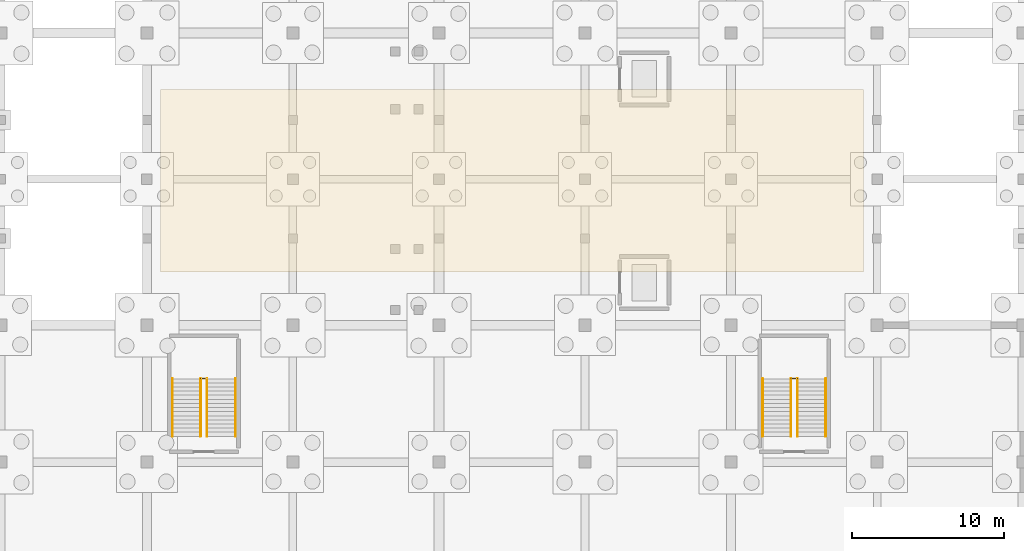
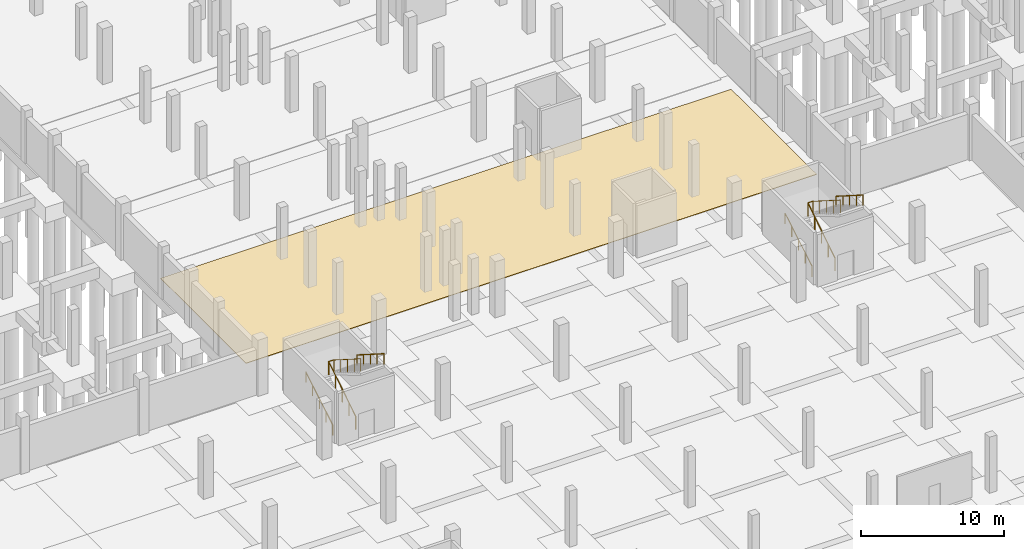
# One storey, part 35 of 39: 10 railings, 1 covering.
"""IFC4 building model written with IfcOpenShell, lengths in metres."""

import ifcopenshell
import ifcopenshell.guid

model = None  # the IFC model being written
_history = None  # IfcOwnerHistory: only IFC2X3 demands one
_inside = {}  # id of a spatial element -> (the spatial element, [elements in it])
_under = {}  # id of a project, library or spatial element -> (it, [spatial elements below it])
_declared = {}  # id of a project -> (the project, [libraries it declares])
_typed = {}  # id of a type object -> (the type object, [elements of that type])
_made_of = {}  # id of a material, layer set ... -> (it, [elements and type objects made of it])


def new_model(schema):
    """Start an empty IFC model of exactly this schema.

    Asked for "IFC4X3", IfcOpenShell would pick the latest addendum, in which some entities
    have other attributes; the version numbers below select the first issue.
    IFC2X3 requires an IfcOwnerHistory on every rooted entity: one is made here for all.
    """
    global model, _history
    if schema == "IFC4X3":
        model = ifcopenshell.file(schema_version=(4, 3, 0, 0))
    else:
        model = ifcopenshell.file(schema=schema)
    _inside.clear()
    _under.clear()
    _declared.clear()
    _typed.clear()
    _made_of.clear()
    _history = None
    if model.schema == "IFC2X3":
        org = make("IfcOrganization", Name="unknown")
        user = make(
            "IfcPersonAndOrganization",
            ThePerson=make("IfcPerson", FamilyName="unknown"),
            TheOrganization=org,
        )
        app = make(
            "IfcApplication",
            ApplicationDeveloper=org,
            Version="unknown",
            ApplicationFullName="unknown",
            ApplicationIdentifier="unknown",
        )
        _history = make(
            "IfcOwnerHistory",
            OwningUser=user,
            OwningApplication=app,
            ChangeAction="ADDED",
            CreationDate=0,
        )
    return model


def make(cls, **values):
    """One entity of the class cls with the attributes given. An attribute that is None is left unset."""
    return model.create_entity(
        cls, **{name: value for name, value in values.items() if value is not None}
    )


def rooted(cls, **values):
    """An entity with a GlobalId (a new one), such as an element, a storey or a relation."""
    return make(cls, GlobalId=ifcopenshell.guid.new(), OwnerHistory=_history, **values)


def si_unit(unit_type, name, prefix=None):
    """IfcSIUnit, for example si_unit("LENGTHUNIT", "METRE", prefix="MILLI")."""
    return make("IfcSIUnit", UnitType=unit_type, Prefix=prefix, Name=name)


def assignment(units):
    """IfcUnitAssignment: the units of a project."""
    return None if units is None else make("IfcUnitAssignment", Units=units)


def point(xyz):
    """IfcCartesianPoint."""
    return None if xyz is None else make("IfcCartesianPoint", Coordinates=xyz)


def direction(xyz):
    """IfcDirection."""
    return None if xyz is None else make("IfcDirection", DirectionRatios=xyz)


def frame(location, z_axis=None, x_axis=None):
    """IfcAxis2Placement3D, a coordinate frame: its origin and axes. An axis left out is left unset."""
    return make(
        "IfcAxis2Placement3D",
        Location=point(location),
        Axis=direction(z_axis),
        RefDirection=direction(x_axis),
    )


def frame_2d(location, x_axis=None):
    """IfcAxis2Placement2D, a coordinate frame in the plane: its origin and x axis."""
    return make(
        "IfcAxis2Placement2D", Location=point(location), RefDirection=direction(x_axis)
    )


def origin():
    """The frame at (0, 0, 0) with its axes left unset."""
    return frame((0.0, 0.0, 0.0))


def origin_2d():
    """The frame at (0, 0) in the plane with its x axis left unset."""
    return frame_2d((0.0, 0.0))


def place(relative_to, where):
    """IfcLocalPlacement: puts the frame where relative to a parent placement (None: the world)."""
    return make(
        "IfcLocalPlacement", PlacementRelTo=relative_to, RelativePlacement=where
    )


def context(
    kind, dimensions, precision=None, world=None, true_north=None, identifier=None
):
    """IfcGeometricRepresentationContext, for example the 3D "Model" context."""
    return make(
        "IfcGeometricRepresentationContext",
        ContextIdentifier=identifier,
        ContextType=kind,
        CoordinateSpaceDimension=dimensions,
        Precision=precision,
        WorldCoordinateSystem=world,
        TrueNorth=true_north,
    )


def subcontext(parent, identifier, kind, view, scale=None):
    """IfcGeometricRepresentationSubContext, for example "Body" below "Model"."""
    return make(
        "IfcGeometricRepresentationSubContext",
        ContextIdentifier=identifier,
        ContextType=kind,
        ParentContext=parent,
        TargetScale=scale,
        TargetView=view,
    )


def project(units=None, contexts=None):
    """IfcProject with its units and contexts."""
    return rooted(
        "IfcProject",
        Name="project",
        RepresentationContexts=contexts,
        UnitsInContext=assignment(units),
    )


def spatial(cls, under=None, at=None, **own):
    """A site, building, storey or space (cls), placed at a placement, below another one or the project."""
    s = rooted(cls, ObjectPlacement=at, **own)
    if under is not None:
        _under.setdefault(under.id(), (under, []))[1].append(s)
    return s


def polyline(points):
    """IfcPolyline through the points."""
    return make("IfcPolyline", Points=[point(p) for p in points])


def profile(cls, at=None, kind="AREA", **sizes):
    """A parametric profile (cls). Its sizes go by their IFC names, for example OverallWidth=200.0."""
    return make(cls, ProfileType=kind, Position=at, **sizes)


def circle(**sizes):
    """IfcCircleProfileDef."""
    return profile("IfcCircleProfileDef", **sizes)


def outline(outer, holes=None, kind="AREA"):
    """IfcArbitraryClosedProfileDef: a profile drawn as a closed curve; with holes, ...WithVoids."""
    if holes is None:
        return make("IfcArbitraryClosedProfileDef", ProfileType=kind, OuterCurve=outer)
    return make(
        "IfcArbitraryProfileDefWithVoids",
        ProfileType=kind,
        OuterCurve=outer,
        InnerCurves=holes,
    )


def extrude(swept, where, along, depth):
    """IfcExtrudedAreaSolid: the profile swept, set in the frame where, extruded along a direction by depth."""
    return make(
        "IfcExtrudedAreaSolid",
        SweptArea=swept,
        Position=where,
        ExtrudedDirection=direction(along),
        Depth=depth,
    )


def shape(context_of_items, identifier, shape_type, items):
    """IfcShapeRepresentation: the items that make up one representation, for example the "Body"."""
    return make(
        "IfcShapeRepresentation",
        ContextOfItems=context_of_items,
        RepresentationIdentifier=identifier,
        RepresentationType=shape_type,
        Items=items,
    )


def material(Name=None, Category=None):
    """IfcMaterial."""
    return make("IfcMaterial", Name=Name, Category=Category)


def layer(
    of_material, thickness, ventilated=None, Name=None, Category=None, Priority=None
):
    """IfcMaterialLayer: one layer of a wall or slab, of a material (None: an air gap)."""
    return make(
        "IfcMaterialLayer",
        Material=of_material,
        LayerThickness=thickness,
        IsVentilated=ventilated,
        Name=Name,
        Category=Category,
        Priority=Priority,
    )


def layer_set(layers, Name=None):
    """IfcMaterialLayerSet."""
    return make("IfcMaterialLayerSet", MaterialLayers=layers, LayerSetName=Name)


def made_of(thing, what):
    """Note that an element or type object is made of a material, layer set ...; save() writes the relation."""
    if what is not None:
        _made_of.setdefault(what.id(), (what, []))[1].append(thing)
    return thing


def type_object(cls, material=None, **own):
    """A type object (cls), such as IfcWallType, which elements share."""
    return made_of(rooted(cls, **own), material)


def element(
    cls,
    number,
    at=None,
    inside=None,
    cuts=None,
    type_object=None,
    material=None,
    context=None,
    identifier="Body",
    shape_type=None,
    held_by="IfcProductDefinitionShape",
    body=None,
    shapes=None,
    **own,
):
    """One element of the class cls, such as IfcWall. Its Tag is "e" and its number.

    at: its placement. inside: the storey or other place that contains it. cuts: it is an
    opening in that element (IfcRelVoidsElement). A single representation is given by context,
    identifier, shape_type and body (its items); several are given by shapes. held_by: the class
    of the entity that holds the representations. save() writes the other relations.
    """
    e = rooted(cls, Tag="e%d" % number, ObjectPlacement=at, **own)
    if body is not None:
        shapes = [shape(context, identifier, shape_type, body)]
    if shapes is not None:
        e.Representation = make(held_by, Representations=shapes)
    if inside is not None:
        _inside.setdefault(inside.id(), (inside, []))[1].append(e)
    if cuts is not None:
        rooted(
            "IfcRelVoidsElement", RelatingBuildingElement=cuts, RelatedOpeningElement=e
        )
    if type_object is not None:
        _typed.setdefault(type_object.id(), (type_object, []))[1].append(e)
    return made_of(e, material)


def aggregate(whole, parts):
    """IfcRelAggregates: a whole, such as a stair, and the parts it consists of."""
    return rooted("IfcRelAggregates", RelatingObject=whole, RelatedObjects=parts)


def save(model, path):
    """Write the relations noted so far, then the file.

    IfcRelAggregates (storeys below a building ...), IfcRelContainedInSpatialStructure (elements
    in a storey), IfcRelDefinesByType, IfcRelAssociatesMaterial and IfcRelDeclares: one each for
    every whole, place, type object, material and project.
    """
    for whole, parts in _under.values():
        aggregate(whole, parts)
    for where, things in _inside.values():
        rooted(
            "IfcRelContainedInSpatialStructure",
            RelatedElements=things,
            RelatingStructure=where,
        )
    for kind, things in _typed.values():
        rooted("IfcRelDefinesByType", RelatedObjects=things, RelatingType=kind)
    for what, things in _made_of.values():
        rooted("IfcRelAssociatesMaterial", RelatedObjects=things, RelatingMaterial=what)
    for by, libraries in _declared.values():
        rooted("IfcRelDeclares", RelatingContext=by, RelatedDefinitions=libraries)
    model.write(path)


model = new_model("IFC4")

# Units and contexts
model_context = context("Model", 3, precision=1e-05, world=origin(), true_north=direction((0.0, 1.0)))
body_context = subcontext(model_context, "Body", "Model", "MODEL_VIEW")
ifc_project = project(units=[si_unit("LENGTHUNIT", "METRE"), si_unit("AREAUNIT", "SQUARE_METRE"), si_unit("VOLUMEUNIT", "CUBIC_METRE"), si_unit("PLANEANGLEUNIT", "RADIAN"), si_unit("MASSUNIT", "GRAM", prefix="KILO")], contexts=[model_context])

# Site, building, storey
site_placement = place(None, origin())
site = spatial("IfcSite", under=ifc_project, at=site_placement, CompositionType="ELEMENT")
building_placement = place(site_placement, origin())
building = spatial("IfcBuilding", under=site, at=building_placement, Name="Zarnetskaya Central Station", CompositionType="ELEMENT")
storey_placement = place(building_placement, frame((0.0, 0.0, -4.800048828125)))
storey = spatial("IfcBuildingStorey", under=building, at=storey_placement, Name="B1", CompositionType="ELEMENT", Elevation=-4.800048828125)

# Covering
ifc_material_1 = material(Name="Granite stone flooring", Category="masonry")
ifc_layer = layer(ifc_material_1, 0.0400390625, Name="Granite stone flooring", Category="masonry")
ifc_layer_set = layer_set([ifc_layer], Name="Granite stone flooring")
covering_type = type_object("IfcCoveringType", Name="COV-GRAN-FLR", PredefinedType="FLOORING", material=ifc_layer_set)
covering_placement = place(storey_placement, origin())
element("IfcCovering", 1, at=covering_placement, inside=storey, type_object=covering_type, Name="Granite terrazzo floor finish B1-102BA", PredefinedType="FLOORING", context=body_context, shape_type="SweptSolid", body=[
    extrude(outline(polyline([(68.10009765625, 70.699951171875), (114.300048828125, 70.699951171875), (114.300048828125, 82.699951171875), (68.10009765625, 82.699951171875), (68.10009765625, 70.699951171875)])), origin(), (0.0, 0.0, 1.0), 0.0400390625),
])

# Railings
ifc_material_2 = material(Name="Steel S355", Category="steel")
railing_type_1 = type_object("IfcRailingType", Name="RAIL-HAND-900", PredefinedType="HANDRAIL", material=ifc_material_2)
railing_1_placement = place(storey_placement, frame((68.8798828125, 59.89990234375, 0.16015625)))
element("IfcRailing", 2, at=railing_1_placement, inside=storey, type_object=railing_type_1, Name="Stair ST-U1 B1 flight 1 handrail", PredefinedType="HANDRAIL", context=body_context, shape_type="SweptSolid", body=[
    extrude(circle(Radius=0.02392578125, at=origin_2d()), frame((0.0, 0.0, 0.8759765625), z_axis=(0.0, 0.860294241299, 0.509797821089), x_axis=(-1.0, 0.0, 0.0)), (0.0, 0.0, 1.0), 4.393798828125),
    extrude(circle(Radius=0.02099609375, at=origin_2d()), origin(), (0.0, 0.0, 1.0), 0.851806640625),
    extrude(circle(Radius=0.02099609375, at=origin_2d()), frame((0.0, 0.945068359375, 0.56005859375)), (0.0, 0.0, 1.0), 0.851806640625),
    extrude(circle(Radius=0.02099609375, at=origin_2d()), frame((0.0, 1.89013671875, 1.1201171875)), (0.0, 0.0, 1.0), 0.851806640625),
    extrude(circle(Radius=0.02099609375, at=origin_2d()), frame((0.0, 2.8349609375, 1.679931640625)), (0.0, 0.0, 1.0), 0.851806640625),
    extrude(circle(Radius=0.02099609375, at=origin_2d()), frame((0.0, 3.780029296875, 2.239990234375)), (0.0, 0.0, 1.0), 0.851806640625),
])
railing_2_placement = place(storey_placement, frame((73.02001953125, 63.679931640625, 2.400146484375)))
element("IfcRailing", 3, at=railing_2_placement, inside=storey, type_object=railing_type_1, Name="Stair ST-U1 B1 flight 2 handrail", PredefinedType="HANDRAIL", context=body_context, shape_type="SweptSolid", body=[
    extrude(circle(Radius=0.02392578125, at=origin_2d()), frame((0.0, 0.0, 0.8759765625), z_axis=(0.0, -0.844224564207, 0.535989631606), x_axis=(1.0, 0.0, 0.0)), (0.0, 0.0, 1.0), 4.4775390625),
    extrude(circle(Radius=0.02099609375, at=origin_2d()), origin(), (0.0, 0.0, 1.0), 0.851806640625),
    extrude(circle(Radius=0.02099609375, at=origin_2d()), frame((0.0, -0.945068359375, 0.60009765625)), (0.0, 0.0, 1.0), 0.851806640625),
    extrude(circle(Radius=0.02099609375, at=origin_2d()), frame((0.0, -1.89013671875, 1.199951171875)), (0.0, 0.0, 1.0), 0.851806640625),
    extrude(circle(Radius=0.02099609375, at=origin_2d()), frame((0.0, -2.8349609375, 1.7998046875)), (0.0, 0.0, 1.0), 0.851806640625),
    extrude(circle(Radius=0.02099609375, at=origin_2d()), frame((0.0, -3.780029296875, 2.39990234375)), (0.0, 0.0, 1.0), 0.851806640625),
])
railing_3_placement = place(storey_placement, frame((107.679931640625, 59.89990234375, 0.16015625)))
element("IfcRailing", 4, at=railing_3_placement, inside=storey, type_object=railing_type_1, Name="Stair ST-U2 B1 flight 1 handrail", PredefinedType="HANDRAIL", context=body_context, shape_type="SweptSolid", body=[
    extrude(circle(Radius=0.02392578125, at=origin_2d()), frame((0.0, 0.0, 0.8759765625), z_axis=(0.0, 0.860294241299, 0.509797821089), x_axis=(-1.0, 0.0, 0.0)), (0.0, 0.0, 1.0), 4.393798828125),
    extrude(circle(Radius=0.02099609375, at=origin_2d()), origin(), (0.0, 0.0, 1.0), 0.851806640625),
    extrude(circle(Radius=0.02099609375, at=origin_2d()), frame((0.0, 0.945068359375, 0.56005859375)), (0.0, 0.0, 1.0), 0.851806640625),
    extrude(circle(Radius=0.02099609375, at=origin_2d()), frame((0.0, 1.89013671875, 1.1201171875)), (0.0, 0.0, 1.0), 0.851806640625),
    extrude(circle(Radius=0.02099609375, at=origin_2d()), frame((0.0, 2.8349609375, 1.679931640625)), (0.0, 0.0, 1.0), 0.851806640625),
    extrude(circle(Radius=0.02099609375, at=origin_2d()), frame((0.0, 3.780029296875, 2.239990234375)), (0.0, 0.0, 1.0), 0.851806640625),
])
railing_4_placement = place(storey_placement, frame((111.820068359375, 63.679931640625, 2.400146484375)))
element("IfcRailing", 5, at=railing_4_placement, inside=storey, type_object=railing_type_1, Name="Stair ST-U2 B1 flight 2 handrail", PredefinedType="HANDRAIL", context=body_context, shape_type="SweptSolid", body=[
    extrude(circle(Radius=0.02392578125, at=origin_2d()), frame((0.0, 0.0, 0.8759765625), z_axis=(0.0, -0.844224564207, 0.535989631606), x_axis=(1.0, 0.0, 0.0)), (0.0, 0.0, 1.0), 4.4775390625),
    extrude(circle(Radius=0.02099609375, at=origin_2d()), origin(), (0.0, 0.0, 1.0), 0.851806640625),
    extrude(circle(Radius=0.02099609375, at=origin_2d()), frame((0.0, -0.945068359375, 0.60009765625)), (0.0, 0.0, 1.0), 0.851806640625),
    extrude(circle(Radius=0.02099609375, at=origin_2d()), frame((0.0, -1.89013671875, 1.199951171875)), (0.0, 0.0, 1.0), 0.851806640625),
    extrude(circle(Radius=0.02099609375, at=origin_2d()), frame((0.0, -2.8349609375, 1.7998046875)), (0.0, 0.0, 1.0), 0.851806640625),
    extrude(circle(Radius=0.02099609375, at=origin_2d()), frame((0.0, -3.780029296875, 2.39990234375)), (0.0, 0.0, 1.0), 0.851806640625),
])
railing_type_2 = type_object("IfcRailingType", Name="RAIL-STAIR-GRD", PredefinedType="BALUSTRADE", material=ifc_material_2)
railing_5_placement = place(storey_placement, frame((70.739990234375, 59.89990234375, 0.0)))
element("IfcRailing", 6, at=railing_5_placement, inside=storey, type_object=railing_type_2, Name="Stair ST-U1 B1 flight 1 well guard", PredefinedType="BALUSTRADE", context=body_context, shape_type="SweptSolid", body=[
    extrude(circle(Radius=0.02392578125, at=origin_2d()), frame((0.0, 0.0, 1.09619140625), z_axis=(0.0, 0.844199891302, 0.536028491338), x_axis=(-1.0, 0.0, 0.0)), (0.0, 0.0, 1.0), 4.4775390625),
    extrude(circle(Radius=0.02099609375, at=origin_2d()), origin(), (0.0, 0.0, 1.0), 1.072021484375),
    extrude(circle(Radius=0.02099609375, at=origin_2d()), frame((0.0, 0.945068359375, 0.60009765625)), (0.0, 0.0, 1.0), 1.072021484375),
    extrude(circle(Radius=0.02099609375, at=origin_2d()), frame((0.0, 1.89013671875, 1.2001953125)), (0.0, 0.0, 1.0), 1.072021484375),
    extrude(circle(Radius=0.02099609375, at=origin_2d()), frame((0.0, 2.8349609375, 1.800048828125)), (0.0, 0.0, 1.0), 1.072021484375),
    extrude(circle(Radius=0.02099609375, at=origin_2d()), frame((0.0, 3.780029296875, 2.400146484375)), (0.0, 0.0, 1.0), 1.072021484375),
])
railing_6_placement = place(storey_placement, frame((70.739990234375, 63.699951171875, 2.400146484375)))
element("IfcRailing", 7, at=railing_6_placement, inside=storey, type_object=railing_type_2, Name="Stair ST-U1 B1 half-landing well guard", PredefinedType="BALUSTRADE", context=body_context, shape_type="SweptSolid", body=[
    extrude(circle(Radius=0.02392578125, at=origin_2d()), frame((0.0, 0.0, 1.09619140625), z_axis=(1.0, 0.0, 0.0), x_axis=(0.0, 1.0, 0.0)), (0.0, 0.0, 1.0), 0.419921875),
    extrude(circle(Radius=0.02099609375, at=origin_2d()), origin(), (0.0, 0.0, 1.0), 1.072021484375),
    extrude(circle(Radius=0.02099609375, at=origin_2d()), frame((0.419921875, 0.0, 0.0)), (0.0, 0.0, 1.0), 1.072021484375),
])
railing_7_placement = place(storey_placement, frame((71.159912109375, 63.679931640625, 2.400146484375)))
element("IfcRailing", 8, at=railing_7_placement, inside=storey, type_object=railing_type_2, Name="Stair ST-U1 B1 flight 2 well guard", PredefinedType="BALUSTRADE", context=body_context, shape_type="SweptSolid", body=[
    extrude(circle(Radius=0.02392578125, at=origin_2d()), frame((0.0, 0.0, 1.09619140625), z_axis=(0.0, -0.844224564207, 0.535989631606), x_axis=(1.0, 0.0, 0.0)), (0.0, 0.0, 1.0), 4.4775390625),
    extrude(circle(Radius=0.02099609375, at=origin_2d()), origin(), (0.0, 0.0, 1.0), 1.072021484375),
    extrude(circle(Radius=0.02099609375, at=origin_2d()), frame((0.0, -0.945068359375, 0.60009765625)), (0.0, 0.0, 1.0), 1.072021484375),
    extrude(circle(Radius=0.02099609375, at=origin_2d()), frame((0.0, -1.89013671875, 1.199951171875)), (0.0, 0.0, 1.0), 1.072021484375),
    extrude(circle(Radius=0.02099609375, at=origin_2d()), frame((0.0, -2.8349609375, 1.7998046875)), (0.0, 0.0, 1.0), 1.072021484375),
    extrude(circle(Radius=0.02099609375, at=origin_2d()), frame((0.0, -3.780029296875, 2.39990234375)), (0.0, 0.0, 1.0), 1.072021484375),
])
railing_8_placement = place(storey_placement, frame((109.5400390625, 59.89990234375, 0.0)))
element("IfcRailing", 9, at=railing_8_placement, inside=storey, type_object=railing_type_2, Name="Stair ST-U2 B1 flight 1 well guard", PredefinedType="BALUSTRADE", context=body_context, shape_type="SweptSolid", body=[
    extrude(circle(Radius=0.02392578125, at=origin_2d()), frame((0.0, 0.0, 1.09619140625), z_axis=(0.0, 0.844199891302, 0.536028491338), x_axis=(-1.0, 0.0, 0.0)), (0.0, 0.0, 1.0), 4.4775390625),
    extrude(circle(Radius=0.02099609375, at=origin_2d()), origin(), (0.0, 0.0, 1.0), 1.072021484375),
    extrude(circle(Radius=0.02099609375, at=origin_2d()), frame((0.0, 0.945068359375, 0.60009765625)), (0.0, 0.0, 1.0), 1.072021484375),
    extrude(circle(Radius=0.02099609375, at=origin_2d()), frame((0.0, 1.89013671875, 1.2001953125)), (0.0, 0.0, 1.0), 1.072021484375),
    extrude(circle(Radius=0.02099609375, at=origin_2d()), frame((0.0, 2.8349609375, 1.800048828125)), (0.0, 0.0, 1.0), 1.072021484375),
    extrude(circle(Radius=0.02099609375, at=origin_2d()), frame((0.0, 3.780029296875, 2.400146484375)), (0.0, 0.0, 1.0), 1.072021484375),
])
railing_9_placement = place(storey_placement, frame((109.5400390625, 63.699951171875, 2.400146484375)))
element("IfcRailing", 10, at=railing_9_placement, inside=storey, type_object=railing_type_2, Name="Stair ST-U2 B1 half-landing well guard", PredefinedType="BALUSTRADE", context=body_context, shape_type="SweptSolid", body=[
    extrude(circle(Radius=0.02392578125, at=origin_2d()), frame((0.0, 0.0, 1.09619140625), z_axis=(1.0, 0.0, 0.0), x_axis=(0.0, 1.0, 0.0)), (0.0, 0.0, 1.0), 0.419921875),
    extrude(circle(Radius=0.02099609375, at=origin_2d()), origin(), (0.0, 0.0, 1.0), 1.072021484375),
    extrude(circle(Radius=0.02099609375, at=origin_2d()), frame((0.419921875, 0.0, 0.0)), (0.0, 0.0, 1.0), 1.072021484375),
])
railing_10_placement = place(storey_placement, frame((109.9599609375, 63.679931640625, 2.400146484375)))
element("IfcRailing", 11, at=railing_10_placement, inside=storey, type_object=railing_type_2, Name="Stair ST-U2 B1 flight 2 well guard", PredefinedType="BALUSTRADE", context=body_context, shape_type="SweptSolid", body=[
    extrude(circle(Radius=0.02392578125, at=origin_2d()), frame((0.0, 0.0, 1.09619140625), z_axis=(0.0, -0.844224564207, 0.535989631606), x_axis=(1.0, 0.0, 0.0)), (0.0, 0.0, 1.0), 4.4775390625),
    extrude(circle(Radius=0.02099609375, at=origin_2d()), origin(), (0.0, 0.0, 1.0), 1.072021484375),
    extrude(circle(Radius=0.02099609375, at=origin_2d()), frame((0.0, -0.945068359375, 0.60009765625)), (0.0, 0.0, 1.0), 1.072021484375),
    extrude(circle(Radius=0.02099609375, at=origin_2d()), frame((0.0, -1.89013671875, 1.199951171875)), (0.0, 0.0, 1.0), 1.072021484375),
    extrude(circle(Radius=0.02099609375, at=origin_2d()), frame((0.0, -2.8349609375, 1.7998046875)), (0.0, 0.0, 1.0), 1.072021484375),
    extrude(circle(Radius=0.02099609375, at=origin_2d()), frame((0.0, -3.780029296875, 2.39990234375)), (0.0, 0.0, 1.0), 1.072021484375),
])

save(model, "model.ifc")
